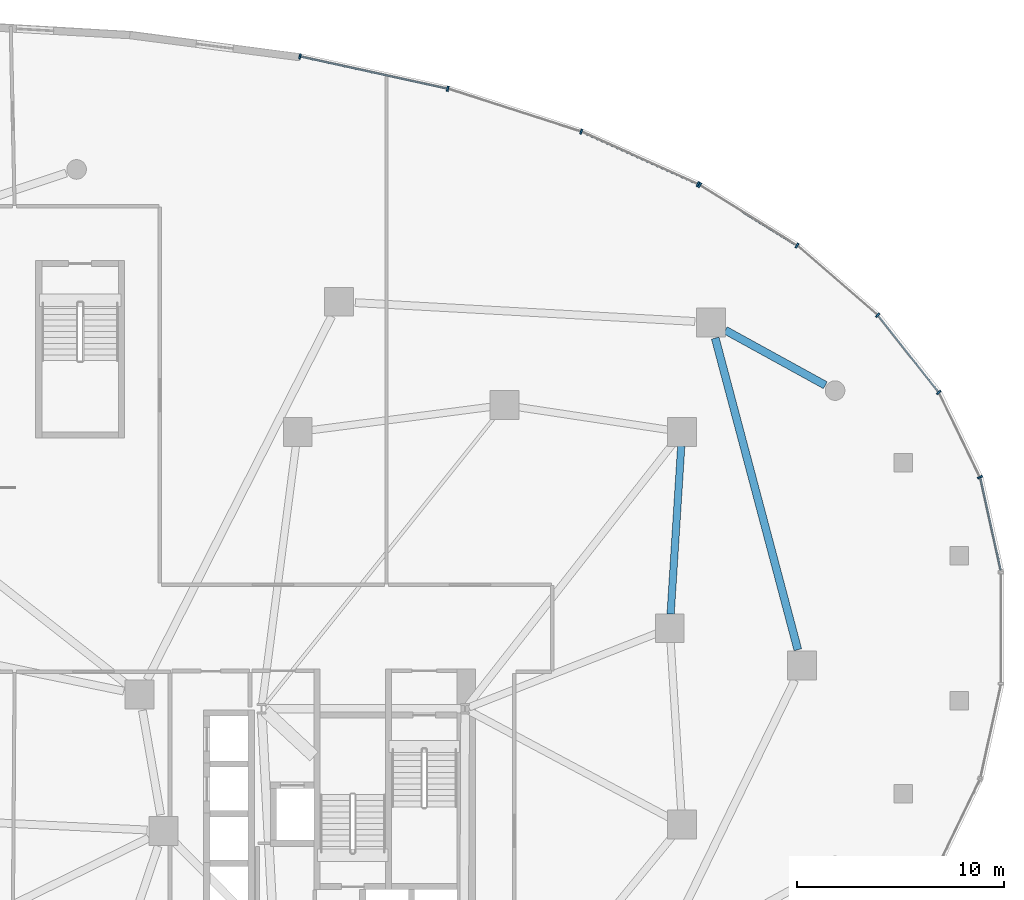
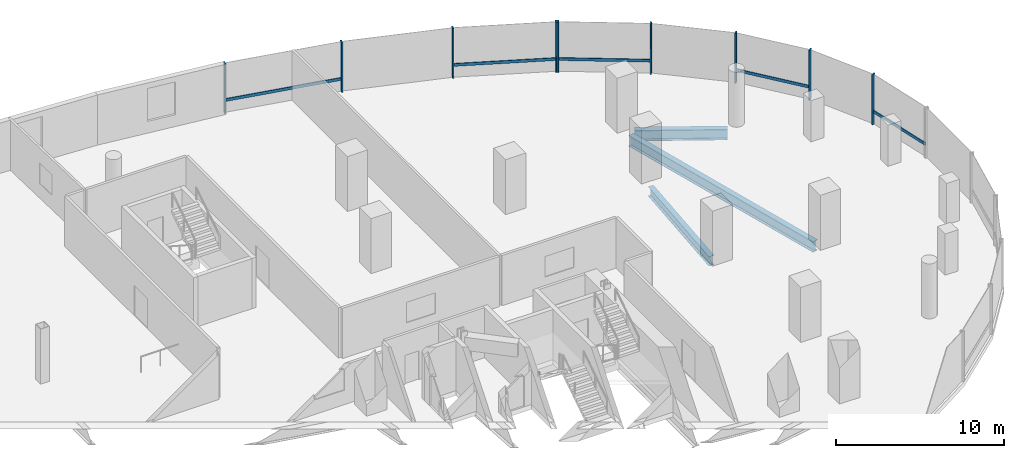
# One storey, part 10 of 18: 14 members, 3 beams, 2 elements without a shape of their own.
"""IFC4 building model written with IfcOpenShell, lengths in metres."""

import ifcopenshell
import ifcopenshell.guid

model = None  # the IFC model being written
_history = None  # IfcOwnerHistory: only IFC2X3 demands one
_inside = {}  # id of a spatial element -> (the spatial element, [elements in it])
_under = {}  # id of a project, library or spatial element -> (it, [spatial elements below it])
_declared = {}  # id of a project -> (the project, [libraries it declares])
_typed = {}  # id of a type object -> (the type object, [elements of that type])
_made_of = {}  # id of a material, layer set ... -> (it, [elements and type objects made of it])


def new_model(schema):
    """Start an empty IFC model of exactly this schema.

    Asked for "IFC4X3", IfcOpenShell would pick the latest addendum, in which some entities
    have other attributes; the version numbers below select the first issue.
    IFC2X3 requires an IfcOwnerHistory on every rooted entity: one is made here for all.
    """
    global model, _history
    if schema == "IFC4X3":
        model = ifcopenshell.file(schema_version=(4, 3, 0, 0))
    else:
        model = ifcopenshell.file(schema=schema)
    _inside.clear()
    _under.clear()
    _declared.clear()
    _typed.clear()
    _made_of.clear()
    _history = None
    if model.schema == "IFC2X3":
        org = make("IfcOrganization", Name="unknown")
        user = make(
            "IfcPersonAndOrganization",
            ThePerson=make("IfcPerson", FamilyName="unknown"),
            TheOrganization=org,
        )
        app = make(
            "IfcApplication",
            ApplicationDeveloper=org,
            Version="unknown",
            ApplicationFullName="unknown",
            ApplicationIdentifier="unknown",
        )
        _history = make(
            "IfcOwnerHistory",
            OwningUser=user,
            OwningApplication=app,
            ChangeAction="ADDED",
            CreationDate=0,
        )
    return model


def make(cls, **values):
    """One entity of the class cls with the attributes given. An attribute that is None is left unset."""
    return model.create_entity(
        cls, **{name: value for name, value in values.items() if value is not None}
    )


def rooted(cls, **values):
    """An entity with a GlobalId (a new one), such as an element, a storey or a relation."""
    return make(cls, GlobalId=ifcopenshell.guid.new(), OwnerHistory=_history, **values)


def si_unit(unit_type, name, prefix=None):
    """IfcSIUnit, for example si_unit("LENGTHUNIT", "METRE", prefix="MILLI")."""
    return make("IfcSIUnit", UnitType=unit_type, Prefix=prefix, Name=name)


def assignment(units):
    """IfcUnitAssignment: the units of a project."""
    return None if units is None else make("IfcUnitAssignment", Units=units)


def point(xyz):
    """IfcCartesianPoint."""
    return None if xyz is None else make("IfcCartesianPoint", Coordinates=xyz)


def direction(xyz):
    """IfcDirection."""
    return None if xyz is None else make("IfcDirection", DirectionRatios=xyz)


def frame(location, z_axis=None, x_axis=None):
    """IfcAxis2Placement3D, a coordinate frame: its origin and axes. An axis left out is left unset."""
    return make(
        "IfcAxis2Placement3D",
        Location=point(location),
        Axis=direction(z_axis),
        RefDirection=direction(x_axis),
    )


def frame_2d(location, x_axis=None):
    """IfcAxis2Placement2D, a coordinate frame in the plane: its origin and x axis."""
    return make(
        "IfcAxis2Placement2D", Location=point(location), RefDirection=direction(x_axis)
    )


def origin():
    """The frame at (0, 0, 0) with its axes left unset."""
    return frame((0.0, 0.0, 0.0))


def origin_2d():
    """The frame at (0, 0) in the plane with its x axis left unset."""
    return frame_2d((0.0, 0.0))


def place(relative_to, where):
    """IfcLocalPlacement: puts the frame where relative to a parent placement (None: the world)."""
    return make(
        "IfcLocalPlacement", PlacementRelTo=relative_to, RelativePlacement=where
    )


def context(
    kind, dimensions, precision=None, world=None, true_north=None, identifier=None
):
    """IfcGeometricRepresentationContext, for example the 3D "Model" context."""
    return make(
        "IfcGeometricRepresentationContext",
        ContextIdentifier=identifier,
        ContextType=kind,
        CoordinateSpaceDimension=dimensions,
        Precision=precision,
        WorldCoordinateSystem=world,
        TrueNorth=true_north,
    )


def subcontext(parent, identifier, kind, view, scale=None):
    """IfcGeometricRepresentationSubContext, for example "Body" below "Model"."""
    return make(
        "IfcGeometricRepresentationSubContext",
        ContextIdentifier=identifier,
        ContextType=kind,
        ParentContext=parent,
        TargetScale=scale,
        TargetView=view,
    )


def project(units=None, contexts=None):
    """IfcProject with its units and contexts."""
    return rooted(
        "IfcProject",
        Name="project",
        RepresentationContexts=contexts,
        UnitsInContext=assignment(units),
    )


def spatial(cls, under=None, at=None, **own):
    """A site, building, storey or space (cls), placed at a placement, below another one or the project."""
    s = rooted(cls, ObjectPlacement=at, **own)
    if under is not None:
        _under.setdefault(under.id(), (under, []))[1].append(s)
    return s


def profile(cls, at=None, kind="AREA", **sizes):
    """A parametric profile (cls). Its sizes go by their IFC names, for example OverallWidth=200.0."""
    return make(cls, ProfileType=kind, Position=at, **sizes)


def rectangle(**sizes):
    """IfcRectangleProfileDef."""
    return profile("IfcRectangleProfileDef", **sizes)


def i_section(**sizes):
    """IfcIShapeProfileDef."""
    return profile("IfcIShapeProfileDef", **sizes)


def extrude(swept, where, along, depth):
    """IfcExtrudedAreaSolid: the profile swept, set in the frame where, extruded along a direction by depth."""
    return make(
        "IfcExtrudedAreaSolid",
        SweptArea=swept,
        Position=where,
        ExtrudedDirection=direction(along),
        Depth=depth,
    )


def shape(context_of_items, identifier, shape_type, items):
    """IfcShapeRepresentation: the items that make up one representation, for example the "Body"."""
    return make(
        "IfcShapeRepresentation",
        ContextOfItems=context_of_items,
        RepresentationIdentifier=identifier,
        RepresentationType=shape_type,
        Items=items,
    )


def material(Name=None, Category=None):
    """IfcMaterial."""
    return make("IfcMaterial", Name=Name, Category=Category)


def material_profile(
    of_material, cross_section, Name=None, Category=None, Priority=None
):
    """IfcMaterialProfile: a cross section and its material."""
    return make(
        "IfcMaterialProfile",
        Name=Name,
        Material=of_material,
        Profile=cross_section,
        Priority=Priority,
        Category=Category,
    )


def profile_set(profiles, Name=None, composite=None):
    """IfcMaterialProfileSet."""
    return make(
        "IfcMaterialProfileSet",
        Name=Name,
        MaterialProfiles=profiles,
        CompositeProfile=composite,
    )


def made_of(thing, what):
    """Note that an element or type object is made of a material, layer set ...; save() writes the relation."""
    if what is not None:
        _made_of.setdefault(what.id(), (what, []))[1].append(thing)
    return thing


def type_object(cls, material=None, **own):
    """A type object (cls), such as IfcWallType, which elements share."""
    return made_of(rooted(cls, **own), material)


def element(
    cls,
    number,
    at=None,
    inside=None,
    cuts=None,
    type_object=None,
    material=None,
    context=None,
    identifier="Body",
    shape_type=None,
    held_by="IfcProductDefinitionShape",
    body=None,
    shapes=None,
    **own,
):
    """One element of the class cls, such as IfcWall. Its Tag is "e" and its number.

    at: its placement. inside: the storey or other place that contains it. cuts: it is an
    opening in that element (IfcRelVoidsElement). A single representation is given by context,
    identifier, shape_type and body (its items); several are given by shapes. held_by: the class
    of the entity that holds the representations. save() writes the other relations.
    """
    e = rooted(cls, Tag="e%d" % number, ObjectPlacement=at, **own)
    if body is not None:
        shapes = [shape(context, identifier, shape_type, body)]
    if shapes is not None:
        e.Representation = make(held_by, Representations=shapes)
    if inside is not None:
        _inside.setdefault(inside.id(), (inside, []))[1].append(e)
    if cuts is not None:
        rooted(
            "IfcRelVoidsElement", RelatingBuildingElement=cuts, RelatedOpeningElement=e
        )
    if type_object is not None:
        _typed.setdefault(type_object.id(), (type_object, []))[1].append(e)
    return made_of(e, material)


def aggregate(whole, parts):
    """IfcRelAggregates: a whole, such as a stair, and the parts it consists of."""
    return rooted("IfcRelAggregates", RelatingObject=whole, RelatedObjects=parts)


def save(model, path):
    """Write the relations noted so far, then the file.

    IfcRelAggregates (storeys below a building ...), IfcRelContainedInSpatialStructure (elements
    in a storey), IfcRelDefinesByType, IfcRelAssociatesMaterial and IfcRelDeclares: one each for
    every whole, place, type object, material and project.
    """
    for whole, parts in _under.values():
        aggregate(whole, parts)
    for where, things in _inside.values():
        rooted(
            "IfcRelContainedInSpatialStructure",
            RelatedElements=things,
            RelatingStructure=where,
        )
    for kind, things in _typed.values():
        rooted("IfcRelDefinesByType", RelatedObjects=things, RelatingType=kind)
    for what, things in _made_of.values():
        rooted("IfcRelAssociatesMaterial", RelatedObjects=things, RelatingMaterial=what)
    for by, libraries in _declared.values():
        rooted("IfcRelDeclares", RelatingContext=by, RelatedDefinitions=libraries)
    model.write(path)


model = new_model("IFC4")

# Units and contexts
model_context = context("Model", 3, precision=1e-05, world=origin(), true_north=direction((0.0, 1.0)))
body_context = subcontext(model_context, "Body", "Model", "MODEL_VIEW")
ifc_project = project(units=[si_unit("LENGTHUNIT", "METRE"), si_unit("AREAUNIT", "SQUARE_METRE"), si_unit("VOLUMEUNIT", "CUBIC_METRE"), si_unit("PLANEANGLEUNIT", "RADIAN"), si_unit("MASSUNIT", "GRAM", prefix="KILO"), si_unit("THERMODYNAMICTEMPERATUREUNIT", "KELVIN"), si_unit("POWERUNIT", "WATT")], contexts=[model_context])

# Site, building, storey
site_placement = place(None, origin())
site = spatial("IfcSite", under=ifc_project, at=site_placement, CompositionType="ELEMENT")
building_placement = place(site_placement, origin())
building = spatial("IfcBuilding", under=site, at=building_placement, Name="Cundina Bronze Exchange", CompositionType="ELEMENT")
storey_placement = place(building_placement, frame((0.0, 0.0, 12.0)))
storey = spatial("IfcBuildingStorey", under=building, at=storey_placement, Name="L02", CompositionType="ELEMENT", Elevation=12.0)

# Beams
ifc_material_1 = material(Name="Steel ASTM A992 Grade 50", Category="steel")
ifc_material_profile_1 = material_profile(ifc_material_1, i_section(OverallWidth=0.35498046875, OverallDepth=0.695068359375, WebThickness=0.015380859375, FlangeThickness=0.02490234375, FilletRadius=0.01806640625, at=origin_2d()), Name="W27X146", Category="steel")
ifc_profile_set_1 = profile_set([ifc_material_profile_1], Name="Steel ASTM A992 Grade 50")
beam_type_1 = type_object("IfcBeamType", Name="BM-RING-W27", PredefinedType="USERDEFINED", material=ifc_profile_set_1)
beam_1_placement = place(storey_placement, frame((41.243408203125, 0.6865234375, -0.697509765625), z_axis=(0.063020359641, 0.998012241544, 0.0), x_axis=(-0.998012241544, 0.063020359641, 0.0)))
element("IfcBeam", 1, at=beam_1_placement, inside=storey, type_object=beam_type_1, Name="L02 E Inner Structural Ring Girder 04", ObjectType="GIRDER", PredefinedType="USERDEFINED", context=body_context, shape_type="SweptSolid", body=[
    extrude(i_section(OverallWidth=0.35498046875, OverallDepth=0.695068359375, WebThickness=0.015380859375, FlangeThickness=0.02490234375, FilletRadius=0.01806640625, at=origin_2d()), origin(), (0.0, 0.0, 1.0), 8.14306640625),
])
ifc_material_profile_2 = material_profile(ifc_material_1, i_section(OverallWidth=0.381103515625, OverallDepth=0.77294921875, WebThickness=0.0166015625, FlangeThickness=0.027099609375, FilletRadius=0.01904296875, at=origin_2d()), Name="W30X173", Category="steel")
ifc_profile_set_2 = profile_set([ifc_material_profile_2], Name="Steel ASTM A992 Grade 50")
beam_type_2 = type_object("IfcBeamType", Name="BM-RING-W30", PredefinedType="USERDEFINED", material=ifc_profile_set_2)
beam_2_placement = place(storey_placement, frame((48.728515625, 11.75927734375, -0.736572265625), z_axis=(-0.876222443353, 0.481906868351, 0.0), x_axis=(-0.481906868351, -0.876222443353, 0.0)))
element("IfcBeam", 2, at=beam_2_placement, inside=storey, type_object=beam_type_2, Name="L02 Podium Colonnade Tie Beam 07", ObjectType="GIRDER", PredefinedType="USERDEFINED", context=body_context, shape_type="SweptSolid", body=[
    extrude(i_section(OverallWidth=0.381103515625, OverallDepth=0.77294921875, WebThickness=0.0166015625, FlangeThickness=0.027099609375, FilletRadius=0.01904296875, at=origin_2d()), origin(), (0.0, 0.0, 1.0), 5.521484375),
])
beam_3_placement = place(storey_placement, frame((47.398193359375, -1.038330078125, -0.736572265625), z_axis=(-0.256219519418, 0.966618620692, 0.0), x_axis=(-0.966618620692, -0.256219519418, 0.0)))
element("IfcBeam", 3, at=beam_3_placement, inside=storey, type_object=beam_type_2, Name="L02 E Podium Ring Girder 08", ObjectType="GIRDER", PredefinedType="USERDEFINED", context=body_context, shape_type="SweptSolid", body=[
    extrude(i_section(OverallWidth=0.381103515625, OverallDepth=0.77294921875, WebThickness=0.0166015625, FlangeThickness=0.027099609375, FilletRadius=0.01904296875, at=origin_2d()), origin(), (0.0, 0.0, 1.0), 15.597412109375),
])

# Curtain wall, members
ifc_material_2 = material(Name="Anodised Bronze Aluminium 6063-T6", Category="aluminium")
curtain_wall_type = type_object("IfcCurtainWallType", Name="CWS-POD-CONC", PredefinedType="NOTDEFINED", material=ifc_material_2)
curtain_wall_1_placement = place(storey_placement, origin())
curtain_wall_1 = element("IfcCurtainWall", 4, at=curtain_wall_1_placement, inside=storey, type_object=curtain_wall_type, Name="L02 CW-01 Curtain Wall Run CWR-L02-01", PredefinedType="NOTDEFINED")
ifc_material_profile_3 = material_profile(ifc_material_2, rectangle(XDim=0.0849609375, YDim=0.25, at=origin_2d()), Name="AL85X250", Category="aluminium")
ifc_profile_set_3 = profile_set([ifc_material_profile_3], Name="Anodised Bronze Aluminium 6063-T6")
member_type_1 = type_object("IfcMemberType", Name="CWM-MUL-250", PredefinedType="MULLION", material=ifc_profile_set_3)
member_1_placement = place(storey_placement, frame((56.211669921875, 7.311279296875, 0.0), z_axis=(0.0, 0.0, 1.0), x_axis=(-0.435702445497, 0.900090761528, 0.0)))
member_1 = element("IfcMember", 5, at=member_1_placement, type_object=member_type_1, Name="CW-01 Mullion 2", PredefinedType="MULLION", context=body_context, shape_type="SweptSolid", body=[
    extrude(rectangle(XDim=0.0849609375, YDim=0.25, at=origin_2d()), origin(), (0.0, 0.0, 1.0), 3.64990234375),
])
member_2_placement = place(storey_placement, frame((54.21728515625, 11.408935546875, 0.0), z_axis=(0.0, 0.0, 1.0), x_axis=(-0.61950505541, 0.784992666412, 0.0)))
member_2 = element("IfcMember", 6, at=member_2_placement, type_object=member_type_1, Name="CW-01 Mullion 3", PredefinedType="MULLION", context=body_context, shape_type="SweptSolid", body=[
    extrude(rectangle(XDim=0.0849609375, YDim=0.25, at=origin_2d()), origin(), (0.0, 0.0, 1.0), 3.64990234375),
])
member_3_placement = place(storey_placement, frame((51.257080078125, 15.146484375, 0.0), z_axis=(0.0, 0.0, 1.0), x_axis=(-0.755510544084, 0.6551364879, 0.0)))
member_3 = element("IfcMember", 7, at=member_3_placement, type_object=member_type_1, Name="CW-01 Mullion 4", PredefinedType="MULLION", context=body_context, shape_type="SweptSolid", body=[
    extrude(rectangle(XDim=0.0849609375, YDim=0.25, at=origin_2d()), origin(), (0.0, 0.0, 1.0), 3.64990234375),
])
member_4_placement = place(storey_placement, frame((47.35986328125, 18.515380859375, 0.0), z_axis=(0.0, 0.0, 1.0), x_axis=(-0.849248260906, 0.527993741769, 0.0)))
member_4 = element("IfcMember", 8, at=member_4_placement, type_object=member_type_1, Name="CW-01 Mullion 5", PredefinedType="MULLION", context=body_context, shape_type="SweptSolid", body=[
    extrude(rectangle(XDim=0.0849609375, YDim=0.25, at=origin_2d()), origin(), (0.0, 0.0, 1.0), 3.64990234375),
])
member_5_placement = place(storey_placement, frame((42.654052734375, 21.4404296875, 0.0), z_axis=(0.0, 0.0, 1.0), x_axis=(-0.849248260906, 0.527993741769, 0.0)))
member_5 = element("IfcMember", 9, at=member_5_placement, type_object=member_type_1, Name="CW-01 End Mullion", PredefinedType="MULLION", context=body_context, shape_type="SweptSolid", body=[
    extrude(rectangle(XDim=0.0849609375, YDim=0.25, at=origin_2d()), origin(), (0.0, 0.0, 1.0), 3.64990234375),
])

curtain_wall_2_placement = place(storey_placement, origin())
curtain_wall_2 = element("IfcCurtainWall", 10, at=curtain_wall_2_placement, inside=storey, type_object=curtain_wall_type, Name="L02 CW-01 Curtain Wall Run CWR-L02-02", PredefinedType="NOTDEFINED")
member_6_placement = place(storey_placement, frame((42.566162109375, 21.4873046875, 0.0), z_axis=(0.0, 0.0, 1.0), x_axis=(-0.911618620107, 0.411037092578, 0.0)))
member_6 = element("IfcMember", 11, at=member_6_placement, type_object=member_type_1, Name="CW-01 Mullion 1", PredefinedType="MULLION", context=body_context, shape_type="SweptSolid", body=[
    extrude(rectangle(XDim=0.0849609375, YDim=0.25, at=origin_2d()), origin(), (0.0, 0.0, 1.0), 3.64990234375),
])
member_7_placement = place(storey_placement, frame((36.91796875, 24.027099609375, 0.0), z_axis=(0.0, 0.0, 1.0), x_axis=(-0.951862260753, 0.306526078098, 0.0)))
member_7 = element("IfcMember", 12, at=member_7_placement, type_object=member_type_1, Name="CW-01 Mullion 2", PredefinedType="MULLION", context=body_context, shape_type="SweptSolid", body=[
    extrude(rectangle(XDim=0.0849609375, YDim=0.25, at=origin_2d()), origin(), (0.0, 0.0, 1.0), 3.64990234375),
])
member_8_placement = place(storey_placement, frame((30.456787109375, 26.10302734375, 0.0), z_axis=(0.0, 0.0, 1.0), x_axis=(-0.976896613081, 0.213712440794, 0.0)))
member_8 = element("IfcMember", 13, at=member_8_placement, type_object=member_type_1, Name="CW-01 Mullion 3", PredefinedType="MULLION", context=body_context, shape_type="SweptSolid", body=[
    extrude(rectangle(XDim=0.0849609375, YDim=0.25, at=origin_2d()), origin(), (0.0, 0.0, 1.0), 3.64990234375),
])
member_9_placement = place(storey_placement, frame((23.30810546875, 27.66650390625, 0.0), z_axis=(0.0, 0.0, 1.0), x_axis=(-0.976896613081, 0.213712440794, 0.0)))
member_9 = element("IfcMember", 14, at=member_9_placement, type_object=member_type_1, Name="CW-01 End Mullion", PredefinedType="MULLION", context=body_context, shape_type="SweptSolid", body=[
    extrude(rectangle(XDim=0.0849609375, YDim=0.25, at=origin_2d()), origin(), (0.0, 0.0, 1.0), 3.64990234375),
])

# Member
ifc_material_profile_4 = material_profile(ifc_material_2, rectangle(XDim=0.080078125, YDim=0.2099609375, at=origin_2d()), Name="AL80X210", Category="aluminium")
ifc_profile_set_4 = profile_set([ifc_material_profile_4], Name="Anodised Bronze Aluminium 6063-T6")
member_type_2 = type_object("IfcMemberType", Name="CWM-TRN-210", PredefinedType="USERDEFINED", material=ifc_profile_set_4)
member_10_placement = place(storey_placement, frame((57.209716796875, 2.812744140625, 0.919921875), z_axis=(-0.214548972216, 0.97671323249, 0.0), x_axis=(-0.97671323249, -0.214548972216, 0.0)))
member_10 = element("IfcMember", 15, at=member_10_placement, type_object=member_type_2, Name="CW-01 Spandrel Transom 1", ObjectType="TRANSOM", PredefinedType="USERDEFINED", context=body_context, shape_type="SweptSolid", body=[
    extrude(rectangle(XDim=0.080078125, YDim=0.2099609375, at=origin_2d()), origin(), (0.0, 0.0, 1.0), 4.571044921875),
])

member_11_placement = place(storey_placement, frame((54.1884765625, 11.445556640625, 0.919921875), z_axis=(-0.619486880186, 0.7850070097, 0.0), x_axis=(-0.7850070097, -0.619486880186, 0.0)))
member_11 = element("IfcMember", 16, at=member_11_placement, type_object=member_type_2, Name="CW-01 Spandrel Transom 3", ObjectType="TRANSOM", PredefinedType="USERDEFINED", context=body_context, shape_type="SweptSolid", body=[
    extrude(rectangle(XDim=0.080078125, YDim=0.2099609375, at=origin_2d()), origin(), (0.0, 0.0, 1.0), 4.67724609375),
])

member_12_placement = place(storey_placement, frame((47.3203125, 18.539794921875, 0.919921875), z_axis=(-0.849292385138, 0.527922763808, 0.0), x_axis=(-0.527922763808, -0.849292385138, 0.0)))
member_12 = element("IfcMember", 17, at=member_12_placement, type_object=member_type_2, Name="CW-01 Spandrel Transom 5", ObjectType="TRANSOM", PredefinedType="USERDEFINED", context=body_context, shape_type="SweptSolid", body=[
    extrude(rectangle(XDim=0.080078125, YDim=0.2099609375, at=origin_2d()), origin(), (0.0, 0.0, 1.0), 5.44775390625),
])

aggregate(curtain_wall_1, [member_10, member_1, member_2, member_11, member_3, member_4, member_5, member_12])

member_13_placement = place(storey_placement, frame((42.5234375, 21.506591796875, 0.919921875), z_axis=(-0.911656553379, 0.410952951908, 0.0), x_axis=(-0.410952951908, -0.911656553379, 0.0)))
member_13 = element("IfcMember", 18, at=member_13_placement, type_object=member_type_2, Name="CW-01 Spandrel Transom 1", ObjectType="TRANSOM", PredefinedType="USERDEFINED", context=body_context, shape_type="SweptSolid", body=[
    extrude(rectangle(XDim=0.080078125, YDim=0.2099609375, at=origin_2d()), origin(), (0.0, 0.0, 1.0), 6.090576171875),
])

member_14_placement = place(storey_placement, frame((30.4111328125, 26.113037109375, 0.919921875), z_axis=(-0.976909937501, 0.213651524713, 0.0), x_axis=(-0.213651524713, -0.976909937501, 0.0)))
member_14 = element("IfcMember", 19, at=member_14_placement, type_object=member_type_2, Name="CW-01 Spandrel Transom 3", ObjectType="TRANSOM", PredefinedType="USERDEFINED", context=body_context, shape_type="SweptSolid", body=[
    extrude(rectangle(XDim=0.080078125, YDim=0.2099609375, at=origin_2d()), origin(), (0.0, 0.0, 1.0), 7.22412109375),
])

aggregate(curtain_wall_2, [member_6, member_13, member_7, member_8, member_9, member_14])

save(model, "model.ifc")
